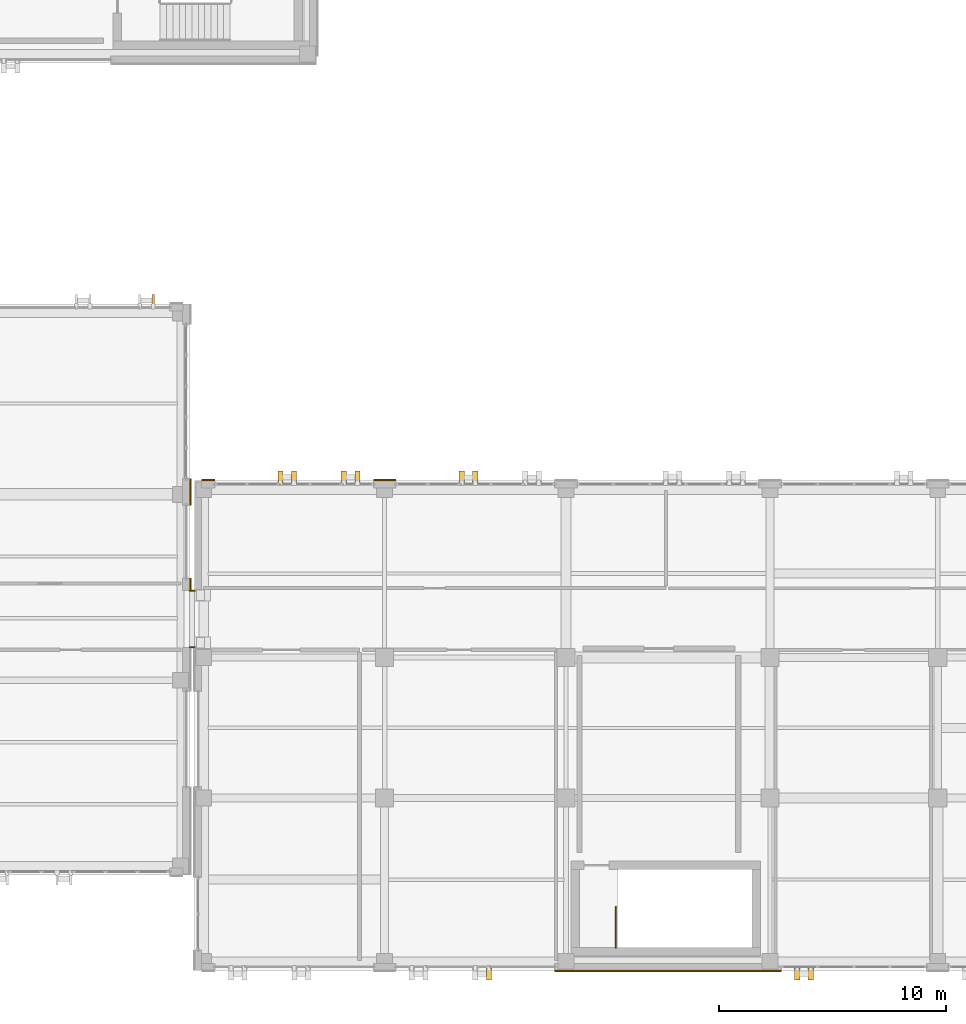
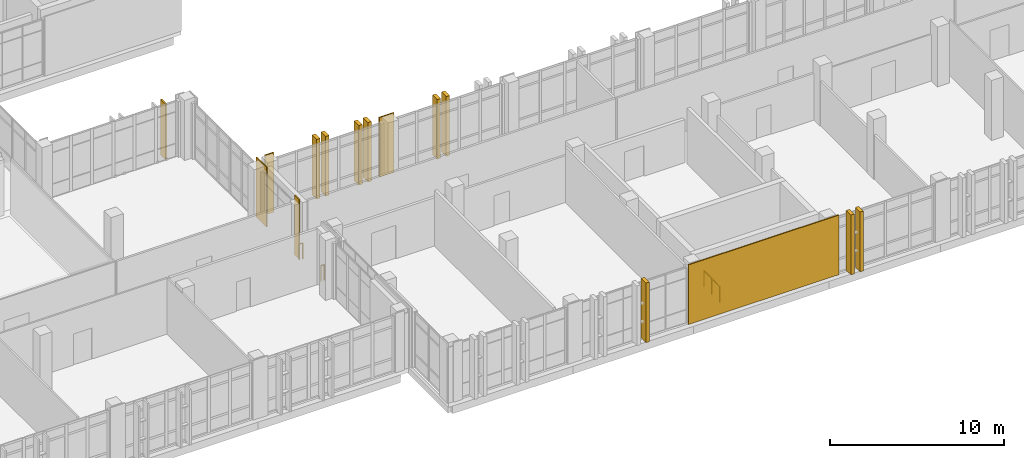
# One storey, part 179 of 193: 14 coverings, 3 railings, 1 shading device.
"""IFC4 building model written with IfcOpenShell, lengths in metres."""

from ifc_helpers import new_model, si_unit, direction, frame, origin, origin_2d, place, context, subcontext, project, spatial, rectangle, circle, extrude, material, layer, layer_set, type_object, element, save


model = new_model("IFC4")

# Units and contexts
model_context = context("Model", 3, precision=1e-05, world=origin(), true_north=direction((0.0, 1.0)))
body_context = subcontext(model_context, "Body", "Model", "MODEL_VIEW")
ifc_project = project(units=[si_unit("LENGTHUNIT", "METRE"), si_unit("AREAUNIT", "SQUARE_METRE"), si_unit("VOLUMEUNIT", "CUBIC_METRE"), si_unit("PLANEANGLEUNIT", "RADIAN"), si_unit("MASSUNIT", "GRAM", prefix="KILO")], contexts=[model_context])

# Site, building, storey
site_placement = place(None, origin())
site = spatial("IfcSite", under=ifc_project, at=site_placement, CompositionType="ELEMENT")
building_placement = place(site_placement, origin())
building = spatial("IfcBuilding", under=site, at=building_placement, Name="Qalavern Law Courts", CompositionType="ELEMENT")
storey_placement = place(building_placement, frame((0.0, 0.0, 10.199951171875)))
storey = spatial("IfcBuildingStorey", under=building, at=storey_placement, Name="L02", CompositionType="ELEMENT", Elevation=10.199951171875)

# Railings
ifc_material_1 = material(Name="Steel S355", Category="steel")
railing_type_1 = type_object("IfcRailingType", Name="ENV-BAL-1120", PredefinedType="BALUSTRADE", material=ifc_material_1)
for number, where, name in (
    (1, (101.199951171875, 15.260009765625, 0.0), "Bridge BR-V2-V6 joint guard L02-1"),
    (2, (101.199951171875, 17.739990234375, 0.0), "Bridge BR-V2-V6 joint guard L02-2"),
):
    element("IfcRailing", number, at=place(storey_placement, frame(where)), inside=storey, type_object=railing_type_1, Name=name, PredefinedType="BALUSTRADE", context=body_context, shape_type="SweptSolid", body=[
        extrude(circle(Radius=0.02392578125, at=origin_2d()), frame((0.0, 0.0, 1.09619140625), z_axis=(1.0, 0.0, 0.0), x_axis=(0.0, 1.0, 0.0)), (0.0, 0.0, 1.0), 0.219970703125),
        extrude(circle(Radius=0.02099609375, at=origin_2d()), origin(), (0.0, 0.0, 1.0), 1.072021484375),
        extrude(circle(Radius=0.02099609375, at=origin_2d()), frame((0.219970703125, 0.0, 0.0)), (0.0, 0.0, 1.0), 1.072021484375),
    ])

# Coverings
ifc_material_2 = material(Name="Precast concrete C40/50", Category="concrete")
ifc_layer_1 = layer(ifc_material_2, 0.22998046875)
ifc_layer_set_1 = layer_set([ifc_layer_1], Name="Precast concrete C40/50")
covering_type_1 = type_object("IfcCoveringType", Name="ENV-BLD-2", PredefinedType="CLADDING", material=ifc_layer_set_1)
for number, where, z_axis, x_axis, name in (
    (3, (114.39990234375, 0.844970703125, 0.005126953125), (0.0, 0.0, 1.0), (0.0, -1.0, 0.0), "Absheron stone facade blade 1264"),
    (4, (128.0, 0.844970703125, 0.005126953125), (0.0, 0.0, 1.0), (0.0, -1.0, 0.0), "Absheron stone facade blade 1265"),
    (5, (128.60009765625, 0.844970703125, 0.005126953125), (0.0, 0.0, 1.0), (0.0, -1.0, 0.0), "Absheron stone facade blade 1266"),
    (6, (113.800048828125, 22.7548828125, 0.005126953125), (0.0, 0.0, 1.0), (0.0, 1.0, 0.0), "Absheron stone facade blade 1313"),
    (7, (113.199951171875, 22.7548828125, 0.005126953125), (0.0, 0.0, 1.0), (0.0, 1.0, 0.0), "Absheron stone facade blade 1314"),
    (8, (108.60009765625, 22.7548828125, 0.005126953125), (0.0, 0.0, 1.0), (0.0, 1.0, 0.0), "Absheron stone facade blade 1315"),
    (9, (108.0, 22.7548828125, 0.005126953125), (0.0, 0.0, 1.0), (0.0, 1.0, 0.0), "Absheron stone facade blade 1316"),
    (10, (105.800048828125, 22.7548828125, 0.005126953125), (0.0, 0.0, 1.0), (0.0, 1.0, 0.0), "Absheron stone facade blade 1317"),
    (11, (105.199951171875, 22.7548828125, 0.005126953125), (0.0, 0.0, 1.0), (0.0, 1.0, 0.0), "Absheron stone facade blade 1318"),
):
    element("IfcCovering", number, at=place(storey_placement, frame(where, z_axis=z_axis, x_axis=x_axis)), inside=storey, type_object=covering_type_1, Name=name, PredefinedType="CLADDING", context=body_context, shape_type="SweptSolid", body=[
        extrude(rectangle(XDim=0.5400390625, YDim=0.22998046875, at=origin_2d()), origin(), (0.0, 0.0, 1.0), 4.18994140625),
    ])
ifc_layer_2 = layer(ifc_material_2, 0.072021484375)
ifc_layer_set_2 = layer_set([ifc_layer_2], Name="Precast concrete C40/50")
covering_type_2 = type_object("IfcCoveringType", Name="ENV-CLD-2", PredefinedType="CLADDING", material=ifc_layer_set_2)
covering_1_placement = place(storey_placement, frame((101.23291015625, 18.02490234375, 0.01025390625), z_axis=(0.0, 0.0, 1.0), x_axis=(0.0, 1.0, 0.0)))
element("IfcCovering", 12, at=covering_1_placement, inside=storey, type_object=covering_type_2, Name="V2 Absheron limestone pier facing L02 east 1", PredefinedType="CLADDING", context=body_context, shape_type="SweptSolid", body=[
    extrude(rectangle(XDim=0.530029296875, YDim=0.072021484375, at=origin_2d()), origin(), (0.0, 0.0, 1.0), 4.179931640625),
])
covering_2_placement = place(storey_placement, frame((101.23291015625, 22.10009765625, 0.01025390625), z_axis=(0.0, 0.0, 1.0), x_axis=(0.0, 1.0, 0.0)))
element("IfcCovering", 13, at=covering_2_placement, inside=storey, type_object=covering_type_2, Name="V2 Absheron limestone pier facing L02 east 2", PredefinedType="CLADDING", context=body_context, shape_type="SweptSolid", body=[
    extrude(rectangle(XDim=1.179931640625, YDim=0.072021484375, at=origin_2d()), origin(), (0.0, 0.0, 1.0), 4.179931640625),
])
covering_3_placement = place(storey_placement, frame((122.300048828125, 0.967041015625, 0.01025390625), z_axis=(0.0, 0.0, 1.0), x_axis=(1.0, 0.0, 0.0)))
element("IfcCovering", 14, at=covering_3_placement, inside=storey, type_object=covering_type_2, Name="V6 Absheron limestone pier facing L02 south 3", PredefinedType="CLADDING", context=body_context, shape_type="SweptSolid", body=[
    extrude(rectangle(XDim=9.97998046875, YDim=0.072021484375, at=origin_2d()), origin(), (0.0, 0.0, 1.0), 4.179931640625),
])
covering_4_placement = place(storey_placement, frame((109.800048828125, 22.633056640625, 0.01025390625), z_axis=(0.0, 0.0, 1.0), x_axis=(-1.0, 0.0, 0.0)))
element("IfcCovering", 15, at=covering_4_placement, inside=storey, type_object=covering_type_2, Name="V6 Absheron limestone pier facing L02 north 8", PredefinedType="CLADDING", context=body_context, shape_type="SweptSolid", body=[
    extrude(rectangle(XDim=0.97998046875, YDim=0.072021484375, at=origin_2d()), origin(), (0.0, 0.0, 1.0), 4.179931640625),
])
covering_5_placement = place(storey_placement, frame((102.0224609375, 22.633056640625, 0.01025390625), z_axis=(0.0, 0.0, 1.0), x_axis=(-1.0, 0.0, 0.0)))
element("IfcCovering", 16, at=covering_5_placement, inside=storey, type_object=covering_type_2, Name="V6 Absheron limestone pier facing L02 north 9", PredefinedType="CLADDING", context=body_context, shape_type="SweptSolid", body=[
    extrude(rectangle(XDim=0.574951171875, YDim=0.072021484375, at=origin_2d()), origin(), (0.0, 0.0, 1.0), 4.179931640625),
])

# Shading device
shading_device_type = type_object("IfcShadingDeviceType", Name="ENV-FIN-2", PredefinedType="USERDEFINED", material=ifc_material_2)
shading_device_placement = place(storey_placement, frame((99.60009765625, 30.554931640625, 0.010009765625), z_axis=(0.0, 0.0, 1.0), x_axis=(0.0, 1.0, 0.0)))
element("IfcShadingDevice", 17, at=shading_device_placement, inside=storey, type_object=shading_device_type, Name="Hall solar shading fin 0071", ObjectType="FIN", PredefinedType="USERDEFINED", context=body_context, shape_type="SweptSolid", body=[
    extrude(rectangle(XDim=0.5400390625, YDim=0.10498046875, at=origin_2d()), origin(), (0.0, 0.0, 1.0), 3.89501953125),
])

# Railing
railing_type_2 = type_object("IfcRailingType", Name="INT-GUARD-1120", PredefinedType="BALUSTRADE", material=ifc_material_1)
railing_placement = place(storey_placement, frame((120.0, 2.0, 0.0)))
element("IfcRailing", 18, at=railing_placement, inside=storey, type_object=railing_type_2, Name="L02 ST-K5 top well guard 1", PredefinedType="BALUSTRADE", context=body_context, shape_type="SweptSolid", body=[
    extrude(circle(Radius=0.02392578125, at=origin_2d()), frame((0.0, 0.0, 1.09619140625), z_axis=(0.0, 1.0, 0.0), x_axis=(-1.0, 0.0, 0.0)), (0.0, 0.0, 1.0), 1.800048828125),
    extrude(circle(Radius=0.02099609375, at=origin_2d()), origin(), (0.0, 0.0, 1.0), 1.072021484375),
    extrude(circle(Radius=0.02099609375, at=origin_2d()), frame((0.0, 0.89990234375, 0.0)), (0.0, 0.0, 1.0), 1.072021484375),
    extrude(circle(Radius=0.02099609375, at=origin_2d()), frame((0.0, 1.800048828125, 0.0)), (0.0, 0.0, 1.0), 1.072021484375),
])

save(model, "model.ifc")
